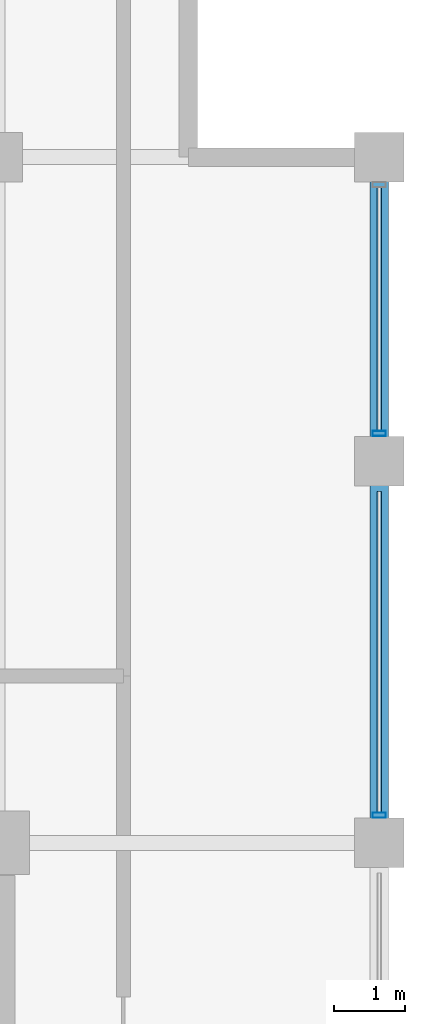
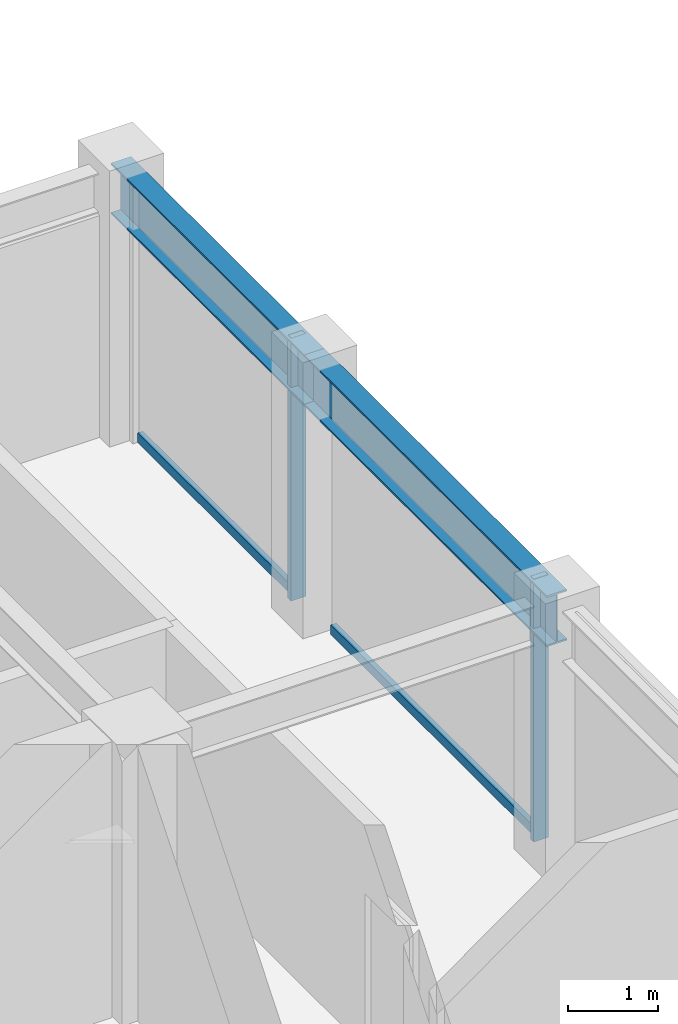
# One storey, part 21 of 30: 4 members, 2 beams, 1 element without a shape of its own.
"""IFC4 building model written with IfcOpenShell, lengths in metres."""

from ifc_helpers import new_model, si_unit, direction, frame, origin, origin_2d, place, context, subcontext, project, spatial, hollow_rectangle, i_section, extrude, material, layer, layer_set, material_profile, profile_set, type_object, element, aggregate, save


model = new_model("IFC4")

# Units and contexts
model_context = context("Model", 3, precision=1e-05, world=origin(), true_north=direction((0.0, 1.0)))
body_context = subcontext(model_context, "Body", "Model", "MODEL_VIEW")
ifc_project = project(units=[si_unit("LENGTHUNIT", "METRE"), si_unit("AREAUNIT", "SQUARE_METRE"), si_unit("VOLUMEUNIT", "CUBIC_METRE"), si_unit("PLANEANGLEUNIT", "RADIAN"), si_unit("MASSUNIT", "GRAM", prefix="KILO")], contexts=[model_context])

# Site, building, storey
site_placement = place(None, origin())
site = spatial("IfcSite", under=ifc_project, at=site_placement, CompositionType="ELEMENT")
building_placement = place(site_placement, origin())
building = spatial("IfcBuilding", under=site, at=building_placement, Name="Surkhivell Harbour Commons", CompositionType="ELEMENT")
storey_placement = place(building_placement, frame((0.0, 0.0, 296.25)))
storey = spatial("IfcBuildingStorey", under=building, at=storey_placement, Name="L77", CompositionType="ELEMENT", Elevation=296.25)

# Beams
ifc_material_1 = material(Name="Steel S355", Category="steel")
ifc_material_profile_1 = material_profile(ifc_material_1, i_section(OverallWidth=0.256103515625, OverallDepth=0.693115234375, WebThickness=0.014404296875, FlangeThickness=0.023681640625, at=origin_2d()), Name="UB686x254x170")
ifc_profile_set_1 = profile_set([ifc_material_profile_1], Name="Steel S355")
beam_type = type_object("IfcBeamType", Name="BM-SPN-686", PredefinedType="SPANDREL", material=ifc_profile_set_1)
beam_1_placement = place(storey_placement, frame((16.199951171875, 10.800048828125, 3.223388671875), z_axis=(0.0, 1.0, 0.0), x_axis=(-1.0, 0.0, 0.0)))
element("IfcBeam", 1, at=beam_1_placement, inside=storey, type_object=beam_type, Name="L77 Tube Spandrel (16.2,10.8)", PredefinedType="SPANDREL", context=body_context, shape_type="SweptSolid", body=[
    extrude(i_section(OverallWidth=0.256103515625, OverallDepth=0.693115234375, WebThickness=0.014404296875, FlangeThickness=0.023681640625, at=origin_2d()), origin(), (0.0, 0.0, 1.0), 5.39990234375),
])
beam_2_placement = place(storey_placement, frame((16.199951171875, 16.199951171875, 3.223388671875), z_axis=(0.0, 1.0, 0.0), x_axis=(-1.0, 0.0, 0.0)))
element("IfcBeam", 2, at=beam_2_placement, inside=storey, type_object=beam_type, Name="L77 Tube Spandrel (16.2,16.2)", PredefinedType="SPANDREL", context=body_context, shape_type="SweptSolid", body=[
    extrude(i_section(OverallWidth=0.256103515625, OverallDepth=0.693115234375, WebThickness=0.014404296875, FlangeThickness=0.023681640625, at=origin_2d()), origin(), (0.0, 0.0, 1.0), 4.300048828125),
])

# Curtain wall, members
ifc_material_2 = material(Name="Anodised pale-metal aluminium and insulated glazing", Category="aluminium")
ifc_layer = layer(ifc_material_2, 0.175048828125)
ifc_layer_set = layer_set([ifc_layer], Name="Anodised pale-metal aluminium and insulated glazing")
curtain_wall_type = type_object("IfcCurtainWallType", Name="CW-SYS-Z4", PredefinedType="NOTDEFINED", material=ifc_layer_set)
curtain_wall_placement = place(storey_placement, origin())
curtain_wall = element("IfcCurtainWall", 3, at=curtain_wall_placement, inside=storey, type_object=curtain_wall_type, Name="L77 Curtain Wall CW-L77-E02", PredefinedType="NOTDEFINED")
ifc_material_3 = material(Name="Anodised pale-metal aluminium alloy 6063-T6", Category="aluminium")
ifc_material_profile_2 = material_profile(ifc_material_3, hollow_rectangle(XDim=0.074951171875, YDim=0.18994140625, WallThickness=0.00390625, at=origin_2d()), Name="ALU-MULL-75x190")
ifc_profile_set_2 = profile_set([ifc_material_profile_2], Name="Anodised pale-metal aluminium alloy 6063-T6")
member_type_1 = type_object("IfcMemberType", Name="CWM-190", PredefinedType="MULLION", material=ifc_profile_set_2)
member_1_placement = place(storey_placement, frame((16.199951171875, 11.189453125, 0.0), z_axis=(0.0, 0.0, 1.0), x_axis=(0.0, 1.0, 0.0)))
member_1 = element("IfcMember", 4, at=member_1_placement, type_object=member_type_1, Name="CW-Z4 mullion 4", PredefinedType="MULLION", context=body_context, shape_type="SweptSolid", body=[
    extrude(hollow_rectangle(XDim=0.074951171875, YDim=0.18994140625, WallThickness=0.00390625, at=origin_2d()), origin(), (0.0, 0.0, 1.0), 3.570068359375),
])
member_2_placement = place(storey_placement, frame((16.199951171875, 16.589599609375, 0.0), z_axis=(0.0, 0.0, 1.0), x_axis=(0.0, 1.0, 0.0)))
member_2 = element("IfcMember", 5, at=member_2_placement, type_object=member_type_1, Name="CW-Z4 mullion 5", PredefinedType="MULLION", context=body_context, shape_type="SweptSolid", body=[
    extrude(hollow_rectangle(XDim=0.074951171875, YDim=0.18994140625, WallThickness=0.00390625, at=origin_2d()), origin(), (0.0, 0.0, 1.0), 3.570068359375),
])
ifc_material_4 = material(Name="Champagne anodised aluminium alloy 6063-T6", Category="aluminium")
ifc_material_profile_3 = material_profile(ifc_material_4, hollow_rectangle(XDim=0.070068359375, YDim=0.1298828125, WallThickness=0.00341796875, at=origin_2d()), Name="ALU-TRAN-70x130")
ifc_profile_set_3 = profile_set([ifc_material_profile_3], Name="Champagne anodised aluminium alloy 6063-T6")
member_type_2 = type_object("IfcMemberType", Name="CWT-130", PredefinedType="USERDEFINED", material=ifc_profile_set_3)
member_3_placement = place(storey_placement, frame((16.199951171875, 11.22705078125, 0.06494140625), z_axis=(0.0, 1.0, 0.0), x_axis=(-1.0, 0.0, 0.0)))
member_3 = element("IfcMember", 6, at=member_3_placement, type_object=member_type_2, Name="CW-Z4 transom 4.1", ObjectType="TRANSOM", PredefinedType="USERDEFINED", context=body_context, shape_type="SweptSolid", body=[
    extrude(hollow_rectangle(XDim=0.070068359375, YDim=0.1298828125, WallThickness=0.00341796875, at=origin_2d()), origin(), (0.0, 0.0, 1.0), 4.5458984375),
])
member_4_placement = place(storey_placement, frame((16.199951171875, 16.626953125, 0.06494140625), z_axis=(0.0, 1.0, 0.0), x_axis=(-1.0, 0.0, 0.0)))
member_4 = element("IfcMember", 7, at=member_4_placement, type_object=member_type_2, Name="CW-Z4 transom 5.1", ObjectType="TRANSOM", PredefinedType="USERDEFINED", context=body_context, shape_type="SweptSolid", body=[
    extrude(hollow_rectangle(XDim=0.070068359375, YDim=0.1298828125, WallThickness=0.00341796875, at=origin_2d()), origin(), (0.0, 0.0, 1.0), 3.446044921875),
])
aggregate(curtain_wall, [member_1, member_3, member_2, member_4])

save(model, "model.ifc")
